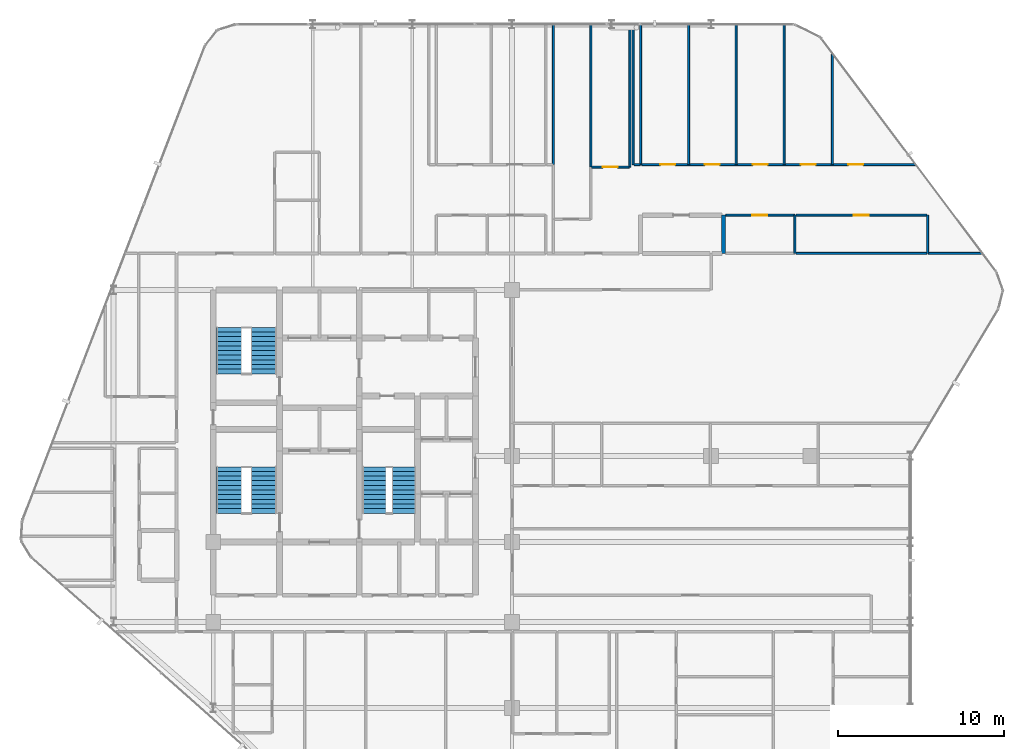
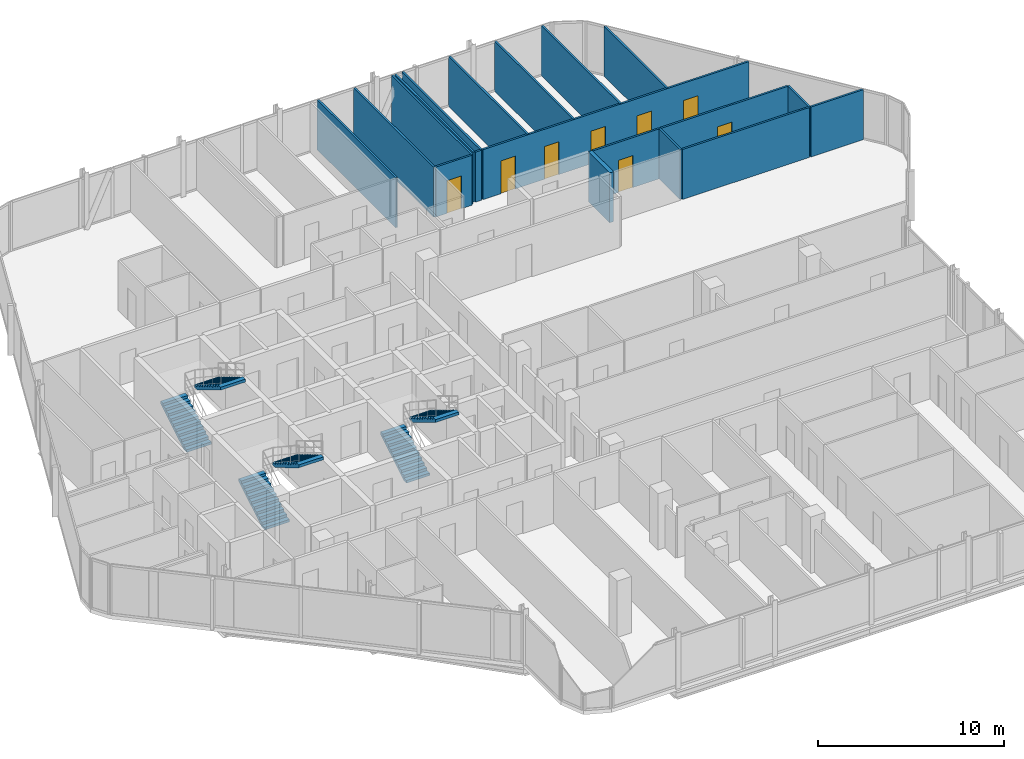
# One storey, part 30 of 31: 19 walls, 8 doors, 6 stair flights, 8 openings, 3 elements without a shape of their own.
"""IFC4 building model written with IfcOpenShell, lengths in metres."""

from ifc_helpers import new_model, si_unit, direction, frame, frame_2d, origin, place, context, subcontext, project, spatial, polyline, rectangle, outline, extrude, material, layer, layer_set, type_object, element, fill, aggregate, save


model = new_model("IFC4")

# Units and contexts
model_context = context("Model", 3, precision=1e-05, world=origin(), true_north=direction((0.0, 1.0)))
body_context = subcontext(model_context, "Body", "Model", "MODEL_VIEW")
ifc_project = project(units=[si_unit("LENGTHUNIT", "METRE"), si_unit("AREAUNIT", "SQUARE_METRE"), si_unit("VOLUMEUNIT", "CUBIC_METRE"), si_unit("PLANEANGLEUNIT", "RADIAN"), si_unit("MASSUNIT", "GRAM", prefix="KILO")], contexts=[model_context])

# Site, building, storey
site_placement = place(None, origin())
site = spatial("IfcSite", under=ifc_project, at=site_placement, CompositionType="ELEMENT")
building_placement = place(site_placement, origin())
building = spatial("IfcBuilding", under=site, at=building_placement, Name="Keshet Zoharim Tower", CompositionType="ELEMENT")
storey_placement = place(building_placement, frame((0.0, 0.0, 155.699951171875)))
storey = spatial("IfcBuildingStorey", under=building, at=storey_placement, Name="L38", CompositionType="ELEMENT", Elevation=155.699951171875)

# Walls
ifc_material_1 = material(Name="Concrete C50/60", Category="concrete")
ifc_layer_1 = layer(ifc_material_1, 0.25)
ifc_layer_set_1 = layer_set([ifc_layer_1], Name="Concrete C50/60")
wall_type_1 = type_object("IfcWallType", Name="WL-MAMAD-250", PredefinedType="STANDARD", material=ifc_layer_set_1)
wall_1_placement = place(storey_placement, frame((45.75, 40.10009765625, 0.0), z_axis=(0.0, 0.0, 1.0), x_axis=(0.0, 1.0, 0.0)))
element("IfcWall", 1, at=wall_1_placement, inside=storey, type_object=wall_type_1, Name="L38 Interior Wall 094", PredefinedType="STANDARD", context=body_context, shape_type="SweptSolid", body=[
    extrude(rectangle(XDim=2.2998046875, YDim=0.25, at=frame_2d((1.14990234375, 0.0))), origin(), (0.0, 0.0, 1.0), 3.280029296875),
])
ifc_material_2 = material(Name="Gypsum Plasterboard", Category="gypsum")
ifc_layer_2 = layer(ifc_material_2, 0.1201171875)
ifc_layer_set_2 = layer_set([ifc_layer_2], Name="Gypsum Plasterboard")
wall_type_2 = type_object("IfcWallType", Name="WL-PART-120", PredefinedType="PARTITIONING", material=ifc_layer_set_2)
wall_2_placement = place(storey_placement, frame((35.5, 45.449951171875, 0.0), z_axis=(0.0, 0.0, 1.0), x_axis=(0.0, 1.0, 0.0)))
element("IfcWall", 2, at=wall_2_placement, inside=storey, type_object=wall_type_2, Name="L38 Interior Wall 075", PredefinedType="PARTITIONING", context=body_context, shape_type="SweptSolid", body=[
    extrude(rectangle(XDim=8.43994140625, YDim=0.1201171875, at=frame_2d((4.219970703125, 0.0))), origin(), (0.0, 0.0, 1.0), 3.280029296875),
])
for number, where, z_axis, x_axis, name in (
    (3, (37.75, 45.300048828125, 0.0), (0.0, 0.0, 1.0), (0.0, 1.0, 0.0), "L38 Interior Wall 079"),
    (4, (40.10009765625, 45.300048828125, 0.0), (0.0, 0.0, 1.0), (0.0, 1.0, 0.0), "L38 Interior Wall 084"),
):
    element("IfcWall", number, at=place(storey_placement, frame(where, z_axis=z_axis, x_axis=x_axis)), inside=storey, type_object=wall_type_2, Name=name, PredefinedType="PARTITIONING", context=body_context, shape_type="SweptSolid", body=[
        extrude(rectangle(XDim=8.58984375, YDim=0.1201171875, at=frame_2d((4.294921875, 0.0))), origin(), (0.0, 0.0, 1.0), 3.280029296875),
    ])
for number, where, z_axis, x_axis, name in (
    (5, (40.300048828125, 45.449951171875, 0.0), (0.0, 0.0, 1.0), (0.0, 1.0, 0.0), "L38 Interior Wall 085"),
    (6, (40.75, 45.449951171875, 0.0), (0.0, 0.0, 1.0), (0.0, 1.0, 0.0), "L38 Interior Wall 087"),
    (7, (43.64990234375, 45.449951171875, 0.0), (0.0, 0.0, 1.0), (0.0, 1.0, 0.0), "L38 Interior Wall 091"),
    (8, (46.5, 45.449951171875, 0.0), (0.0, 0.0, 1.0), (0.0, 1.0, 0.0), "L38 Interior Wall 095"),
    (9, (49.39990234375, 45.449951171875, 0.0), (0.0, 0.0, 1.0), (0.0, 1.0, 0.0), "L38 Interior Wall 099"),
):
    element("IfcWall", number, at=place(storey_placement, frame(where, z_axis=z_axis, x_axis=x_axis)), inside=storey, type_object=wall_type_2, Name=name, PredefinedType="PARTITIONING", context=body_context, shape_type="SweptSolid", body=[
        extrude(rectangle(XDim=8.43994140625, YDim=0.1201171875, at=frame_2d((4.219970703125, 0.0))), origin(), (0.0, 0.0, 1.0), 3.280029296875),
    ])
wall_3_placement = place(storey_placement, frame((52.300048828125, 45.449951171875, 0.0), z_axis=(0.0, 0.0, 1.0), x_axis=(0.0, 1.0, 0.0)))
element("IfcWall", 10, at=wall_3_placement, inside=storey, type_object=wall_type_2, Name="L38 Interior Wall 102", PredefinedType="PARTITIONING", context=body_context, shape_type="SweptSolid", body=[
    extrude(rectangle(XDim=6.70703125, YDim=0.1201171875, at=frame_2d((3.353515625, 0.0))), origin(), (0.0, 0.0, 1.0), 3.280029296875),
])
wall_4_placement = place(storey_placement, frame((58.050048828125, 40.10009765625, 0.0), z_axis=(0.0, 0.0, 1.0), x_axis=(0.0, 1.0, 0.0)))
element("IfcWall", 11, at=wall_4_placement, inside=storey, type_object=wall_type_2, Name="L38 Interior Wall 107", PredefinedType="PARTITIONING", context=body_context, shape_type="SweptSolid", body=[
    extrude(rectangle(XDim=2.2998046875, YDim=0.1201171875, at=frame_2d((1.14990234375, 0.0))), origin(), (0.0, 0.0, 1.0), 3.280029296875),
])
wall_5_placement = place(storey_placement, frame((50.115966796875, 40.10009765625, 0.0), z_axis=(0.0, 0.0, 1.0), x_axis=(1.0, 0.0, 0.0)))
element("IfcWall", 12, at=wall_5_placement, inside=storey, type_object=wall_type_2, Name="L38 Interior Wall 195", PredefinedType="PARTITIONING", context=body_context, shape_type="SweptSolid", body=[
    extrude(rectangle(XDim=7.876953125, YDim=0.1201171875, at=frame_2d((3.9384765625, 0.0))), origin(), (0.0, 0.0, 1.0), 3.280029296875),
])
wall_6_placement = place(storey_placement, frame((58.0830078125, 40.10009765625, 0.0), z_axis=(0.0, 0.0, 1.0), x_axis=(1.0, 0.0, 0.0)))
element("IfcWall", 13, at=wall_6_placement, inside=storey, type_object=wall_type_2, Name="L38 Interior Wall 196", PredefinedType="PARTITIONING", context=body_context, shape_type="SweptSolid", body=[
    extrude(rectangle(XDim=3.257080078125, YDim=0.1201171875, at=frame_2d((1.62841796875, 0.0))), origin(), (0.0, 0.0, 1.0), 3.280029296875),
])

# Wall, opening, door
wall_7_placement = place(storey_placement, frame((50.115966796875, 42.39990234375, 0.0), z_axis=(0.0, 0.0, 1.0), x_axis=(1.0, 0.0, 0.0)))
wall_7 = element("IfcWall", 14, at=wall_7_placement, inside=storey, type_object=wall_type_2, Name="L38 Interior Wall 202", PredefinedType="PARTITIONING", context=body_context, shape_type="SweptSolid", body=[
    extrude(rectangle(XDim=7.876953125, YDim=0.1201171875, at=frame_2d((3.9384765625, 0.0))), origin(), (0.0, 0.0, 1.0), 3.280029296875),
])
opening_1_placement = place(wall_7_placement, frame((3.488037109375, 0.0, 0.0)))
opening_1 = element("IfcOpeningElement", 15, at=opening_1_placement, cuts=wall_7, Name="Opening D-IN90", PredefinedType="OPENING", context=body_context, shape_type="SweptSolid", body=[
    extrude(rectangle(XDim=0.89990234375, YDim=2.14990234375, at=frame_2d((0.449951171875, 1.074951171875))), frame((0.0, 0.070068359375, 0.0), z_axis=(0.0, -1.0, 0.0), x_axis=(1.0, 0.0, 0.0)), (0.0, 0.0, 1.0), 0.14013671875),
])
ifc_material_3 = material(Name="Hardwood Timber", Category="wood")
door_type_1 = type_object("IfcDoorType", Name="DR-INT-090", OperationType="NOTDEFINED", PredefinedType="DOOR", material=ifc_material_3)
door_1_placement = place(opening_1_placement, origin())
door_1 = element("IfcDoor", 16, at=door_1_placement, inside=storey, type_object=door_type_1, Name="Apartment 3807 Kitchen Door", OperationType="SINGLE_SWING_LEFT", OverallHeight=2.14990234375, OverallWidth=0.89990234375, PredefinedType="DOOR", context=body_context, shape_type="SweptSolid", body=[
    extrude(rectangle(XDim=0.89990234375, YDim=2.14990234375, at=frame_2d((0.449951171875, 1.074951171875))), frame((0.0, 0.02490234375, 0.0), z_axis=(0.0, -1.0, 0.0), x_axis=(1.0, 0.0, 0.0)), (0.0, 0.0, 1.0), 0.050048828125),
])
fill(opening_1, door_1)

wall_8_placement = place(storey_placement, frame((37.804931640625, 45.300048828125, 0.0), z_axis=(0.0, 0.0, 1.0), x_axis=(1.0, 0.0, 0.0)))
wall_8 = element("IfcWall", 17, at=wall_8_placement, inside=storey, type_object=wall_type_2, Name="L38 Interior Wall 204", PredefinedType="PARTITIONING", context=body_context, shape_type="SweptSolid", body=[
    extrude(rectangle(XDim=2.260009765625, YDim=0.1201171875, at=frame_2d((1.1298828125, 0.0))), origin(), (0.0, 0.0, 1.0), 3.280029296875),
])
opening_2_placement = place(wall_8_placement, frame((0.679931640625, 0.0, 0.0)))
opening_2 = element("IfcOpeningElement", 18, at=opening_2_placement, cuts=wall_8, Name="Opening D-IN90", PredefinedType="OPENING", context=body_context, shape_type="SweptSolid", body=[
    extrude(rectangle(XDim=0.89990234375, YDim=2.14990234375, at=frame_2d((0.449951171875, 1.074951171875))), frame((0.0, 0.070068359375, 0.0), z_axis=(0.0, -1.0, 0.0), x_axis=(1.0, 0.0, 0.0)), (0.0, 0.0, 1.0), 0.14013671875),
])
door_2_placement = place(opening_2_placement, origin())
door_2 = element("IfcDoor", 19, at=door_2_placement, inside=storey, type_object=door_type_1, Name="Apartment 3807 Home Study Room Door", OperationType="SINGLE_SWING_RIGHT", OverallHeight=2.14990234375, OverallWidth=0.89990234375, PredefinedType="DOOR", context=body_context, shape_type="SweptSolid", body=[
    extrude(rectangle(XDim=0.89990234375, YDim=2.14990234375, at=frame_2d((0.449951171875, 1.074951171875))), frame((0.0, 0.02490234375, 0.0), z_axis=(0.0, -1.0, 0.0), x_axis=(1.0, 0.0, 0.0)), (0.0, 0.0, 1.0), 0.050048828125),
])
fill(opening_2, door_2)

# Wall
wall_9_placement = place(storey_placement, frame((40.35498046875, 45.449951171875, 0.0), z_axis=(0.0, 0.0, 1.0), x_axis=(1.0, 0.0, 0.0)))
element("IfcWall", 20, at=wall_9_placement, inside=storey, type_object=wall_type_2, Name="L38 Interior Wall 208", PredefinedType="PARTITIONING", context=body_context, shape_type="SweptSolid", body=[
    extrude(rectangle(XDim=0.360107421875, YDim=0.1201171875, at=frame_2d((0.18017578125, 0.0))), origin(), (0.0, 0.0, 1.0), 3.280029296875),
])

# Wall, openings, doors
wall_10_placement = place(storey_placement, frame((40.804931640625, 45.449951171875, 0.0), z_axis=(0.0, 0.0, 1.0), x_axis=(1.0, 0.0, 0.0)))
wall_10 = element("IfcWall", 21, at=wall_10_placement, inside=storey, type_object=wall_type_2, Name="L38 Interior Wall 209", PredefinedType="PARTITIONING", context=body_context, shape_type="SweptSolid", body=[
    extrude(rectangle(XDim=16.52294921875, YDim=0.1201171875, at=frame_2d((8.261474609375, 0.0))), origin(), (0.0, 0.0, 1.0), 3.280029296875),
])
opening_3_placement = place(wall_10_placement, frame((1.1201171875, 0.0, 0.0)))
opening_3 = element("IfcOpeningElement", 22, at=opening_3_placement, cuts=wall_10, Name="Opening D-IN90", PredefinedType="OPENING", context=body_context, shape_type="SweptSolid", body=[
    extrude(rectangle(XDim=0.89990234375, YDim=2.14990234375, at=frame_2d((0.449951171875, 1.074951171875))), frame((0.0, 0.070068359375, 0.0), z_axis=(0.0, -1.0, 0.0), x_axis=(1.0, 0.0, 0.0)), (0.0, 0.0, 1.0), 0.14013671875),
])
opening_4_placement = place(wall_10_placement, frame((3.824951171875, 0.0, 0.0)))
opening_4 = element("IfcOpeningElement", 23, at=opening_4_placement, cuts=wall_10, Name="Opening D-IN90", PredefinedType="OPENING", context=body_context, shape_type="SweptSolid", body=[
    extrude(rectangle(XDim=0.89990234375, YDim=2.14990234375, at=frame_2d((0.449951171875, 1.074951171875))), frame((0.0, 0.070068359375, 0.0), z_axis=(0.0, -1.0, 0.0), x_axis=(1.0, 0.0, 0.0)), (0.0, 0.0, 1.0), 0.14013671875),
])
opening_5_placement = place(wall_10_placement, frame((6.7041015625, 0.0, 0.0)))
opening_5 = element("IfcOpeningElement", 24, at=opening_5_placement, cuts=wall_10, Name="Opening D-IN90", PredefinedType="OPENING", context=body_context, shape_type="SweptSolid", body=[
    extrude(rectangle(XDim=0.89990234375, YDim=2.14990234375, at=frame_2d((0.449951171875, 1.074951171875))), frame((0.0, 0.070068359375, 0.0), z_axis=(0.0, -1.0, 0.0), x_axis=(1.0, 0.0, 0.0)), (0.0, 0.0, 1.0), 0.14013671875),
])
opening_6_placement = place(wall_10_placement, frame((9.583984375, 0.0, 0.0)))
opening_6 = element("IfcOpeningElement", 25, at=opening_6_placement, cuts=wall_10, Name="Opening D-IN90", PredefinedType="OPENING", context=body_context, shape_type="SweptSolid", body=[
    extrude(rectangle(XDim=0.89990234375, YDim=2.14990234375, at=frame_2d((0.449951171875, 1.074951171875))), frame((0.0, 0.070068359375, 0.0), z_axis=(0.0, -1.0, 0.0), x_axis=(1.0, 0.0, 0.0)), (0.0, 0.0, 1.0), 0.14013671875),
])
opening_7_placement = place(wall_10_placement, frame((12.464111328125, 0.0, 0.0)))
opening_7 = element("IfcOpeningElement", 26, at=opening_7_placement, cuts=wall_10, Name="Opening D-IN90", PredefinedType="OPENING", context=body_context, shape_type="SweptSolid", body=[
    extrude(rectangle(XDim=0.89990234375, YDim=2.14990234375, at=frame_2d((0.449951171875, 1.074951171875))), frame((0.0, 0.070068359375, 0.0), z_axis=(0.0, -1.0, 0.0), x_axis=(1.0, 0.0, 0.0)), (0.0, 0.0, 1.0), 0.14013671875),
])
door_3_placement = place(opening_3_placement, origin())
door_3 = element("IfcDoor", 27, at=door_3_placement, inside=storey, type_object=door_type_1, Name="Apartment 3807 Bedroom 1 Door", OperationType="SINGLE_SWING_LEFT", OverallHeight=2.14990234375, OverallWidth=0.89990234375, PredefinedType="DOOR", context=body_context, shape_type="SweptSolid", body=[
    extrude(rectangle(XDim=0.89990234375, YDim=2.14990234375, at=frame_2d((0.449951171875, 1.074951171875))), frame((0.0, 0.02490234375, 0.0), z_axis=(0.0, -1.0, 0.0), x_axis=(1.0, 0.0, 0.0)), (0.0, 0.0, 1.0), 0.050048828125),
])
fill(opening_3, door_3)
door_4_placement = place(opening_4_placement, origin())
door_4 = element("IfcDoor", 28, at=door_4_placement, inside=storey, type_object=door_type_1, Name="Apartment 3807 Bedroom 2 Door", OperationType="SINGLE_SWING_RIGHT", OverallHeight=2.14990234375, OverallWidth=0.89990234375, PredefinedType="DOOR", context=body_context, shape_type="SweptSolid", body=[
    extrude(rectangle(XDim=0.89990234375, YDim=2.14990234375, at=frame_2d((0.449951171875, 1.074951171875))), frame((0.0, 0.02490234375, 0.0), z_axis=(0.0, -1.0, 0.0), x_axis=(1.0, 0.0, 0.0)), (0.0, 0.0, 1.0), 0.050048828125),
])
fill(opening_4, door_4)
door_5_placement = place(opening_5_placement, origin())
door_5 = element("IfcDoor", 29, at=door_5_placement, inside=storey, type_object=door_type_1, Name="Apartment 3807 Bedroom 3 Door", OperationType="SINGLE_SWING_LEFT", OverallHeight=2.14990234375, OverallWidth=0.89990234375, PredefinedType="DOOR", context=body_context, shape_type="SweptSolid", body=[
    extrude(rectangle(XDim=0.89990234375, YDim=2.14990234375, at=frame_2d((0.449951171875, 1.074951171875))), frame((0.0, 0.02490234375, 0.0), z_axis=(0.0, -1.0, 0.0), x_axis=(1.0, 0.0, 0.0)), (0.0, 0.0, 1.0), 0.050048828125),
])
fill(opening_5, door_5)
door_6_placement = place(opening_6_placement, origin())
door_6 = element("IfcDoor", 30, at=door_6_placement, inside=storey, type_object=door_type_1, Name="Apartment 3807 Bedroom 4 Door", OperationType="SINGLE_SWING_RIGHT", OverallHeight=2.14990234375, OverallWidth=0.89990234375, PredefinedType="DOOR", context=body_context, shape_type="SweptSolid", body=[
    extrude(rectangle(XDim=0.89990234375, YDim=2.14990234375, at=frame_2d((0.449951171875, 1.074951171875))), frame((0.0, 0.02490234375, 0.0), z_axis=(0.0, -1.0, 0.0), x_axis=(1.0, 0.0, 0.0)), (0.0, 0.0, 1.0), 0.050048828125),
])
fill(opening_6, door_6)
door_7_placement = place(opening_7_placement, origin())
door_7 = element("IfcDoor", 31, at=door_7_placement, inside=storey, type_object=door_type_1, Name="Apartment 3807 Bedroom 5 Door", OperationType="SINGLE_SWING_LEFT", OverallHeight=2.14990234375, OverallWidth=0.89990234375, PredefinedType="DOOR", context=body_context, shape_type="SweptSolid", body=[
    extrude(rectangle(XDim=0.89990234375, YDim=2.14990234375, at=frame_2d((0.449951171875, 1.074951171875))), frame((0.0, 0.02490234375, 0.0), z_axis=(0.0, -1.0, 0.0), x_axis=(1.0, 0.0, 0.0)), (0.0, 0.0, 1.0), 0.050048828125),
])
fill(opening_7, door_7)

# Wall
ifc_layer_3 = layer(ifc_material_2, 0.1201171875)
ifc_layer_set_3 = layer_set([ifc_layer_3], Name="Gypsum Plasterboard")
wall_type_3 = type_object("IfcWallType", Name="WL-WET-120", PredefinedType="PARTITIONING", material=ifc_layer_set_3)
wall_11_placement = place(storey_placement, frame((50.050048828125, 40.10009765625, 0.0), z_axis=(0.0, 0.0, 1.0), x_axis=(0.0, 1.0, 0.0)))
element("IfcWall", 32, at=wall_11_placement, inside=storey, type_object=wall_type_3, Name="L38 Interior Wall 100", PredefinedType="PARTITIONING", context=body_context, shape_type="SweptSolid", body=[
    extrude(rectangle(XDim=2.2998046875, YDim=0.1201171875, at=frame_2d((1.14990234375, 0.0))), origin(), (0.0, 0.0, 1.0), 3.280029296875),
])

# Wall, opening, door
wall_12_placement = place(storey_placement, frame((45.881103515625, 42.39990234375, 0.0), z_axis=(0.0, 0.0, 1.0), x_axis=(1.0, 0.0, 0.0)))
wall_12 = element("IfcWall", 33, at=wall_12_placement, inside=storey, type_object=wall_type_3, Name="L38 Interior Wall 201", PredefinedType="PARTITIONING", context=body_context, shape_type="SweptSolid", body=[
    extrude(rectangle(XDim=4.144775390625, YDim=0.1201171875, at=frame_2d((2.072265625, 0.0))), origin(), (0.0, 0.0, 1.0), 3.280029296875),
])
opening_8_placement = place(wall_12_placement, frame((1.590087890625, 0.0, 0.0)))
opening_8 = element("IfcOpeningElement", 34, at=opening_8_placement, cuts=wall_12, Name="Opening D-WT90", PredefinedType="OPENING", context=body_context, shape_type="SweptSolid", body=[
    extrude(rectangle(XDim=0.89990234375, YDim=2.10009765625, at=frame_2d((0.449951171875, 1.050048828125))), frame((0.0, 0.070068359375, 0.0), z_axis=(0.0, -1.0, 0.0), x_axis=(1.0, 0.0, 0.0)), (0.0, 0.0, 1.0), 0.14013671875),
])
door_type_2 = type_object("IfcDoorType", Name="DR-WET-090", OperationType="NOTDEFINED", PredefinedType="DOOR", material=ifc_material_3)
door_8_placement = place(opening_8_placement, origin())
door_8 = element("IfcDoor", 35, at=door_8_placement, inside=storey, type_object=door_type_2, Name="Apartment 3807 Bathroom Door", OperationType="SINGLE_SWING_RIGHT", OverallHeight=2.10009765625, OverallWidth=0.89990234375, PredefinedType="DOOR", context=body_context, shape_type="SweptSolid", body=[
    extrude(rectangle(XDim=0.89990234375, YDim=2.10009765625, at=frame_2d((0.449951171875, 1.050048828125))), frame((0.0, 0.02490234375, 0.0), z_axis=(0.0, -1.0, 0.0), x_axis=(1.0, 0.0, 0.0)), (0.0, 0.0, 1.0), 0.050048828125),
])
fill(opening_8, door_8)

# Stair, stair flights
stair_type = type_object("IfcStairType", Name="STR-EXIT-135", PredefinedType="HALF_TURN_STAIR", material=ifc_material_1)
stair_1_placement = place(storey_placement, origin())
stair_1 = element("IfcStair", 36, at=stair_1_placement, inside=storey, type_object=stair_type, Name="L38 Enclosed Exit Stair ST-01", PredefinedType="HALF_TURN_STAIR")
stair_flight_type_1 = type_object("IfcStairFlightType", Name="FLT-PRE-135", PredefinedType="STRAIGHT", material=ifc_material_1)
stair_flight_1_placement = place(storey_placement, frame((15.945068359375, 24.43994140625, 0.0), z_axis=(0.0, 0.0, 1.0), x_axis=(0.0, 1.0, 0.0)))
stair_flight_1 = element("IfcStairFlight", 37, at=stair_flight_1_placement, type_object=stair_flight_type_1, Name="ST-01 flight 1", NumberOfRisers=11, NumberOfTreads=10, PredefinedType="STRAIGHT", RiserHeight=0.168182, TreadLength=0.28, context=body_context, shape_type="SweptSolid", body=[
    extrude(outline(polyline([(0.0, 0.0), (0.0, 0.168212890625), (0.280029296875, 0.168212890625), (0.280029296875, 0.33642578125), (0.56005859375, 0.33642578125), (0.56005859375, 0.504638671875), (0.840087890625, 0.504638671875), (0.840087890625, 0.672607421875), (1.1201171875, 0.672607421875), (1.1201171875, 0.8408203125), (1.39990234375, 0.8408203125), (1.39990234375, 1.009033203125), (1.679931640625, 1.009033203125), (1.679931640625, 1.17724609375), (1.9599609375, 1.17724609375), (1.9599609375, 1.345458984375), (2.239990234375, 1.345458984375), (2.239990234375, 1.513671875), (2.52001953125, 1.513671875), (2.52001953125, 1.681884765625), (2.800048828125, 1.681884765625), (2.800048828125, 1.85009765625), (2.800048828125, 1.495361328125), (0.310546875, 0.0), (0.0, 0.0)])), frame((0.0, 0.76513671875, 0.0), z_axis=(0.0, -1.0, 0.0), x_axis=(1.0, 0.0, 0.0)), (0.0, 0.0, 1.0), 1.530029296875),
])
stair_flight_2_placement = place(storey_placement, frame((18.054931640625, 27.239990234375, 1.85009765625), z_axis=(0.0, 0.0, 1.0), x_axis=(0.0, -1.0, 0.0)))
stair_flight_2 = element("IfcStairFlight", 38, at=stair_flight_2_placement, type_object=stair_flight_type_1, Name="ST-01 flight 2", NumberOfRisers=11, NumberOfTreads=10, PredefinedType="STRAIGHT", RiserHeight=0.168182, TreadLength=0.28, context=body_context, shape_type="SweptSolid", body=[
    extrude(outline(polyline([(0.0, 0.0), (0.0, 0.168212890625), (0.280029296875, 0.168212890625), (0.280029296875, 0.33642578125), (0.56005859375, 0.33642578125), (0.56005859375, 0.504638671875), (0.840087890625, 0.504638671875), (0.840087890625, 0.672607421875), (1.1201171875, 0.672607421875), (1.1201171875, 0.8408203125), (1.39990234375, 0.8408203125), (1.39990234375, 1.009033203125), (1.679931640625, 1.009033203125), (1.679931640625, 1.17724609375), (1.9599609375, 1.17724609375), (1.9599609375, 1.345458984375), (2.239990234375, 1.345458984375), (2.239990234375, 1.513671875), (2.52001953125, 1.513671875), (2.52001953125, 1.681884765625), (2.800048828125, 1.681884765625), (2.800048828125, 1.85009765625), (2.800048828125, 1.495361328125), (0.310546875, 0.0), (0.0, 0.0)])), frame((0.0, 0.76513671875, 0.0), z_axis=(0.0, -1.0, 0.0), x_axis=(1.0, 0.0, 0.0)), (0.0, 0.0, 1.0), 1.530029296875),
])
aggregate(stair_1, [stair_flight_1, stair_flight_2])

stair_2_placement = place(storey_placement, origin())
stair_2 = element("IfcStair", 39, at=stair_2_placement, inside=storey, type_object=stair_type, Name="L38 Enclosed Exit Stair ST-02", PredefinedType="HALF_TURN_STAIR")
stair_flight_3_placement = place(storey_placement, frame((15.945068359375, 32.840087890625, 0.0), z_axis=(0.0, 0.0, 1.0), x_axis=(0.0, 1.0, 0.0)))
stair_flight_3 = element("IfcStairFlight", 40, at=stair_flight_3_placement, type_object=stair_flight_type_1, Name="ST-02 flight 1", NumberOfRisers=11, NumberOfTreads=10, PredefinedType="STRAIGHT", RiserHeight=0.168182, TreadLength=0.28, context=body_context, shape_type="SweptSolid", body=[
    extrude(outline(polyline([(0.0, 0.0), (0.0, 0.168212890625), (0.280029296875, 0.168212890625), (0.280029296875, 0.33642578125), (0.56005859375, 0.33642578125), (0.56005859375, 0.504638671875), (0.840087890625, 0.504638671875), (0.840087890625, 0.672607421875), (1.1201171875, 0.672607421875), (1.1201171875, 0.8408203125), (1.39990234375, 0.8408203125), (1.39990234375, 1.009033203125), (1.679931640625, 1.009033203125), (1.679931640625, 1.17724609375), (1.9599609375, 1.17724609375), (1.9599609375, 1.345458984375), (2.239990234375, 1.345458984375), (2.239990234375, 1.513671875), (2.52001953125, 1.513671875), (2.52001953125, 1.681884765625), (2.800048828125, 1.681884765625), (2.800048828125, 1.85009765625), (2.800048828125, 1.495361328125), (0.310546875, 0.0), (0.0, 0.0)])), frame((0.0, 0.76513671875, 0.0), z_axis=(0.0, -1.0, 0.0), x_axis=(1.0, 0.0, 0.0)), (0.0, 0.0, 1.0), 1.530029296875),
])
stair_flight_4_placement = place(storey_placement, frame((18.054931640625, 35.639892578125, 1.85009765625), z_axis=(0.0, 0.0, 1.0), x_axis=(0.0, -1.0, 0.0)))
stair_flight_4 = element("IfcStairFlight", 41, at=stair_flight_4_placement, type_object=stair_flight_type_1, Name="ST-02 flight 2", NumberOfRisers=11, NumberOfTreads=10, PredefinedType="STRAIGHT", RiserHeight=0.168182, TreadLength=0.28, context=body_context, shape_type="SweptSolid", body=[
    extrude(outline(polyline([(0.0, 0.0), (0.0, 0.168212890625), (0.280029296875, 0.168212890625), (0.280029296875, 0.33642578125), (0.56005859375, 0.33642578125), (0.56005859375, 0.504638671875), (0.840087890625, 0.504638671875), (0.840087890625, 0.672607421875), (1.1201171875, 0.672607421875), (1.1201171875, 0.8408203125), (1.39990234375, 0.8408203125), (1.39990234375, 1.009033203125), (1.679931640625, 1.009033203125), (1.679931640625, 1.17724609375), (1.9599609375, 1.17724609375), (1.9599609375, 1.345458984375), (2.239990234375, 1.345458984375), (2.239990234375, 1.513671875), (2.52001953125, 1.513671875), (2.52001953125, 1.681884765625), (2.800048828125, 1.681884765625), (2.800048828125, 1.85009765625), (2.800048828125, 1.495361328125), (0.310546875, 0.0), (0.0, 0.0)])), frame((0.0, 0.76513671875, 0.0), z_axis=(0.0, -1.0, 0.0), x_axis=(1.0, 0.0, 0.0)), (0.0, 0.0, 1.0), 1.530029296875),
])
aggregate(stair_2, [stair_flight_3, stair_flight_4])

stair_3_placement = place(storey_placement, origin())
stair_3 = element("IfcStair", 42, at=stair_3_placement, inside=storey, type_object=stair_type, Name="L38 Enclosed Exit Stair ST-03", PredefinedType="HALF_TURN_STAIR")
stair_flight_type_2 = type_object("IfcStairFlightType", Name="FLT-PRE-144", PredefinedType="STRAIGHT", material=ifc_material_1)
stair_flight_5_placement = place(storey_placement, frame((24.699951171875, 24.43994140625, 0.0), z_axis=(0.0, 0.0, 1.0), x_axis=(0.0, 1.0, 0.0)))
stair_flight_5 = element("IfcStairFlight", 43, at=stair_flight_5_placement, type_object=stair_flight_type_2, Name="ST-03 flight 1", NumberOfRisers=11, NumberOfTreads=10, PredefinedType="STRAIGHT", RiserHeight=0.168182, TreadLength=0.28, context=body_context, shape_type="SweptSolid", body=[
    extrude(outline(polyline([(0.0, 0.0), (0.0, 0.168212890625), (0.280029296875, 0.168212890625), (0.280029296875, 0.33642578125), (0.56005859375, 0.33642578125), (0.56005859375, 0.504638671875), (0.840087890625, 0.504638671875), (0.840087890625, 0.672607421875), (1.1201171875, 0.672607421875), (1.1201171875, 0.8408203125), (1.39990234375, 0.8408203125), (1.39990234375, 1.009033203125), (1.679931640625, 1.009033203125), (1.679931640625, 1.17724609375), (1.9599609375, 1.17724609375), (1.9599609375, 1.345458984375), (2.239990234375, 1.345458984375), (2.239990234375, 1.513671875), (2.52001953125, 1.513671875), (2.52001953125, 1.681884765625), (2.800048828125, 1.681884765625), (2.800048828125, 1.85009765625), (2.800048828125, 1.495361328125), (0.310546875, 0.0), (0.0, 0.0)])), frame((0.0, 0.719970703125, 0.0), z_axis=(0.0, -1.0, 0.0), x_axis=(1.0, 0.0, 0.0)), (0.0, 0.0, 1.0), 1.43994140625),
])
stair_flight_6_placement = place(storey_placement, frame((26.5, 27.239990234375, 1.85009765625), z_axis=(0.0, 0.0, 1.0), x_axis=(0.0, -1.0, 0.0)))
stair_flight_6 = element("IfcStairFlight", 44, at=stair_flight_6_placement, type_object=stair_flight_type_2, Name="ST-03 flight 2", NumberOfRisers=11, NumberOfTreads=10, PredefinedType="STRAIGHT", RiserHeight=0.168182, TreadLength=0.28, context=body_context, shape_type="SweptSolid", body=[
    extrude(outline(polyline([(0.0, 0.0), (0.0, 0.168212890625), (0.280029296875, 0.168212890625), (0.280029296875, 0.33642578125), (0.56005859375, 0.33642578125), (0.56005859375, 0.504638671875), (0.840087890625, 0.504638671875), (0.840087890625, 0.672607421875), (1.1201171875, 0.672607421875), (1.1201171875, 0.8408203125), (1.39990234375, 0.8408203125), (1.39990234375, 1.009033203125), (1.679931640625, 1.009033203125), (1.679931640625, 1.17724609375), (1.9599609375, 1.17724609375), (1.9599609375, 1.345458984375), (2.239990234375, 1.345458984375), (2.239990234375, 1.513671875), (2.52001953125, 1.513671875), (2.52001953125, 1.681884765625), (2.800048828125, 1.681884765625), (2.800048828125, 1.85009765625), (2.800048828125, 1.495361328125), (0.310546875, 0.0), (0.0, 0.0)])), frame((0.0, 0.719970703125, 0.0), z_axis=(0.0, -1.0, 0.0), x_axis=(1.0, 0.0, 0.0)), (0.0, 0.0, 1.0), 1.43994140625),
])
aggregate(stair_3, [stair_flight_5, stair_flight_6])

save(model, "model.ifc")
